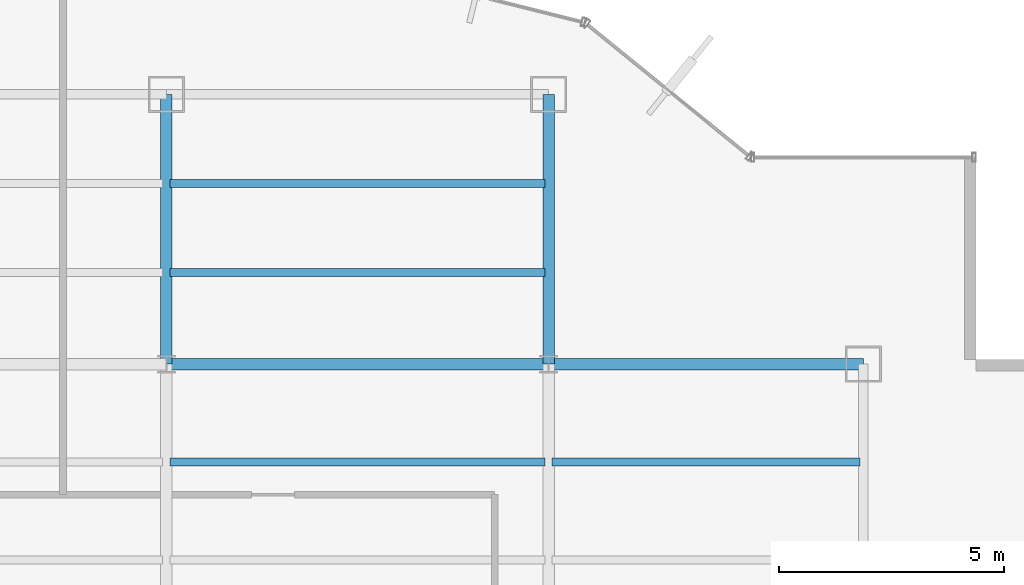
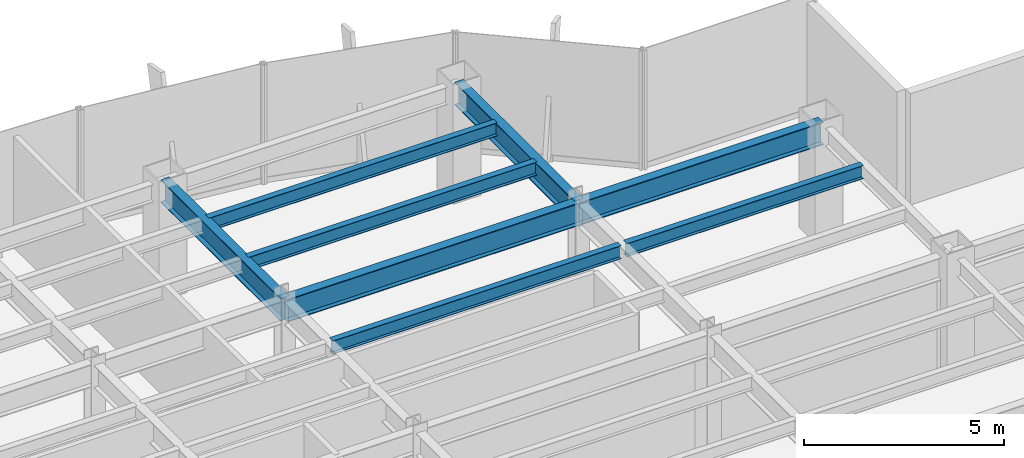
# One storey, part 17 of 26: 8 beams.
"""IFC4 building model written with IfcOpenShell, lengths in metres."""

from ifc_helpers import new_model, si_unit, derived_unit, direction, frame, origin, origin_2d, place, context, subcontext, project, spatial, i_section, extrude, source, transform, mapped, material, material_profile, profile_set, type_object, element, save


model = new_model("IFC4")

# Units and contexts
model_context = context("Model", 3, precision=1e-05, world=origin(), true_north=direction((0.0, 1.0)))
body_context = subcontext(model_context, "Body", "Model", "MODEL_VIEW")
ifc_project = project(units=[si_unit("LENGTHUNIT", "METRE"), si_unit("AREAUNIT", "SQUARE_METRE"), si_unit("VOLUMEUNIT", "CUBIC_METRE"), si_unit("PLANEANGLEUNIT", "RADIAN"), si_unit("MASSUNIT", "GRAM", prefix="KILO"), derived_unit("THERMALTRANSMITTANCEUNIT", [(si_unit("POWERUNIT", "WATT"), 1), (si_unit("LENGTHUNIT", "METRE"), -2), (si_unit("THERMODYNAMICTEMPERATUREUNIT", "KELVIN"), -1)])], contexts=[model_context])

# Site, building, storey
site_placement = place(None, origin())
site = spatial("IfcSite", under=ifc_project, at=site_placement, CompositionType="ELEMENT")
building_placement = place(site_placement, origin())
building = spatial("IfcBuilding", under=site, at=building_placement, Name="Skarnbrae Concourse Arena and Tower", CompositionType="ELEMENT")
storey_placement = place(building_placement, frame((0.0, 0.0, 128.800048828125)))
storey = spatial("IfcBuildingStorey", under=building, at=storey_placement, Name="L32", CompositionType="ELEMENT", Elevation=128.800048828125)

# Beams
ifc_material = material(Name="Steel CSA G40.21 350W", Category="steel")
ifc_material_profile_1 = material_profile(ifc_material, i_section(OverallWidth=0.256103515625, OverallDepth=0.693115234375, WebThickness=0.014404296875, FlangeThickness=0.023681640625, at=origin_2d()), Name="W690X170")
ifc_profile_set_1 = profile_set([ifc_material_profile_1], Name="Steel CSA G40.21 350W")
beam_type_1 = type_object("IfcBeamType", Name="BM-GIRD-W690X170", PredefinedType="BEAM", material=ifc_profile_set_1)
shared_shape_1 = source(origin(), body_context, "Body", "SweptSolid", [
    extrude(i_section(OverallWidth=0.256103515625, OverallDepth=0.693115234375, WebThickness=0.014404296875, FlangeThickness=0.023681640625, at=origin_2d()), origin(), (0.0, 0.0, 1.0), 7.0),
])
beam_1_placement = place(storey_placement, frame((42.0, 34.39990234375, 3.053466796875), z_axis=(1.0, 0.0, 0.0), x_axis=(0.0, 1.0, 0.0)))
element("IfcBeam", 1, at=beam_1_placement, inside=storey, type_object=beam_type_1, Name="L32 Primary E-W girder Y34.4-6", PredefinedType="BEAM", context=body_context, shape_type="MappedRepresentation", body=[
    mapped(shared_shape_1, transform((0.0, 0.0, 0.0))),
])
shared_shape_2 = source(origin(), body_context, "Body", "SweptSolid", [
    extrude(i_section(OverallWidth=0.256103515625, OverallDepth=0.693115234375, WebThickness=0.014404296875, FlangeThickness=0.023681640625, at=origin_2d()), origin(), (0.0, 0.0, 1.0), 8.5),
])
beam_2_placement = place(storey_placement, frame((33.5, 34.39990234375, 3.053466796875), z_axis=(1.0, 0.0, 0.0), x_axis=(0.0, 1.0, 0.0)))
element("IfcBeam", 2, at=beam_2_placement, inside=storey, type_object=beam_type_1, Name="L32 Primary E-W girder Y34.4-5", PredefinedType="BEAM", context=body_context, shape_type="MappedRepresentation", body=[
    mapped(shared_shape_2, transform((0.0, 0.0, 0.0))),
])
shared_shape_3 = source(origin(), body_context, "Body", "SweptSolid", [
    extrude(i_section(OverallWidth=0.256103515625, OverallDepth=0.693115234375, WebThickness=0.014404296875, FlangeThickness=0.023681640625, at=origin_2d()), origin(), (0.0, 0.0, 1.0), 6.0),
])
for number, where, z_axis, x_axis, name in (
    (3, (33.5, 34.39990234375, 3.053466796875), (0.0, 1.0, 0.0), (-1.0, 0.0, 0.0), "L32 Primary N-S girder X33.5-4"),
    (4, (42.0, 34.39990234375, 3.053466796875), (0.0, 1.0, 0.0), (-1.0, 0.0, 0.0), "L32 Primary N-S girder X42.0-5"),
):
    element("IfcBeam", number, at=place(storey_placement, frame(where, z_axis=z_axis, x_axis=x_axis)), inside=storey, type_object=beam_type_1, Name=name, PredefinedType="BEAM", context=body_context, shape_type="MappedRepresentation", body=[
        mapped(shared_shape_3, transform((0.0, 0.0, 0.0))),
    ])
ifc_material_profile_2 = material_profile(ifc_material, i_section(OverallWidth=0.177978515625, OverallDepth=0.406982421875, WebThickness=0.0078125, FlangeThickness=0.0126953125, at=origin_2d()), Name="W410X60")
ifc_profile_set_2 = profile_set([ifc_material_profile_2], Name="Steel CSA G40.21 350W")
beam_type_2 = type_object("IfcBeamType", Name="BM-JOIST-W410X60", PredefinedType="JOIST", material=ifc_profile_set_2)
shared_shape_4 = source(origin(), body_context, "Body", "SweptSolid", [
    extrude(i_section(OverallWidth=0.177978515625, OverallDepth=0.406982421875, WebThickness=0.0078125, FlangeThickness=0.0126953125, at=origin_2d()), origin(), (0.0, 0.0, 1.0), 8.33984375),
])
for number, where, z_axis, x_axis, name in (
    (5, (33.580078125, 32.221923828125, 3.196533203125), (1.0, 0.0, 0.0), (0.0, 1.0, 0.0), "L32 Secondary floor joist 3.2.5"),
    (6, (33.580078125, 36.43994140625, 3.196533203125), (1.0, 0.0, 0.0), (0.0, 1.0, 0.0), "L32 Secondary floor joist 4.1.4"),
    (7, (33.580078125, 38.419921875, 3.196533203125), (1.0, 0.0, 0.0), (0.0, 1.0, 0.0), "L32 Secondary floor joist 4.2.4"),
):
    element("IfcBeam", number, at=place(storey_placement, frame(where, z_axis=z_axis, x_axis=x_axis)), inside=storey, type_object=beam_type_2, Name=name, PredefinedType="JOIST", context=body_context, shape_type="MappedRepresentation", body=[
        mapped(shared_shape_4, transform((0.0, 0.0, 0.0))),
    ])
shared_shape_5 = source(origin(), body_context, "Body", "SweptSolid", [
    extrude(i_section(OverallWidth=0.177978515625, OverallDepth=0.406982421875, WebThickness=0.0078125, FlangeThickness=0.0126953125, at=origin_2d()), origin(), (0.0, 0.0, 1.0), 6.83984375),
])
beam_3_placement = place(storey_placement, frame((42.080078125, 32.221923828125, 3.196533203125), z_axis=(1.0, 0.0, 0.0), x_axis=(0.0, 1.0, 0.0)))
element("IfcBeam", 8, at=beam_3_placement, inside=storey, type_object=beam_type_2, Name="L32 Secondary floor joist 3.2.6", PredefinedType="JOIST", context=body_context, shape_type="MappedRepresentation", body=[
    mapped(shared_shape_5, transform((0.0, 0.0, 0.0))),
])

save(model, "model.ifc")
